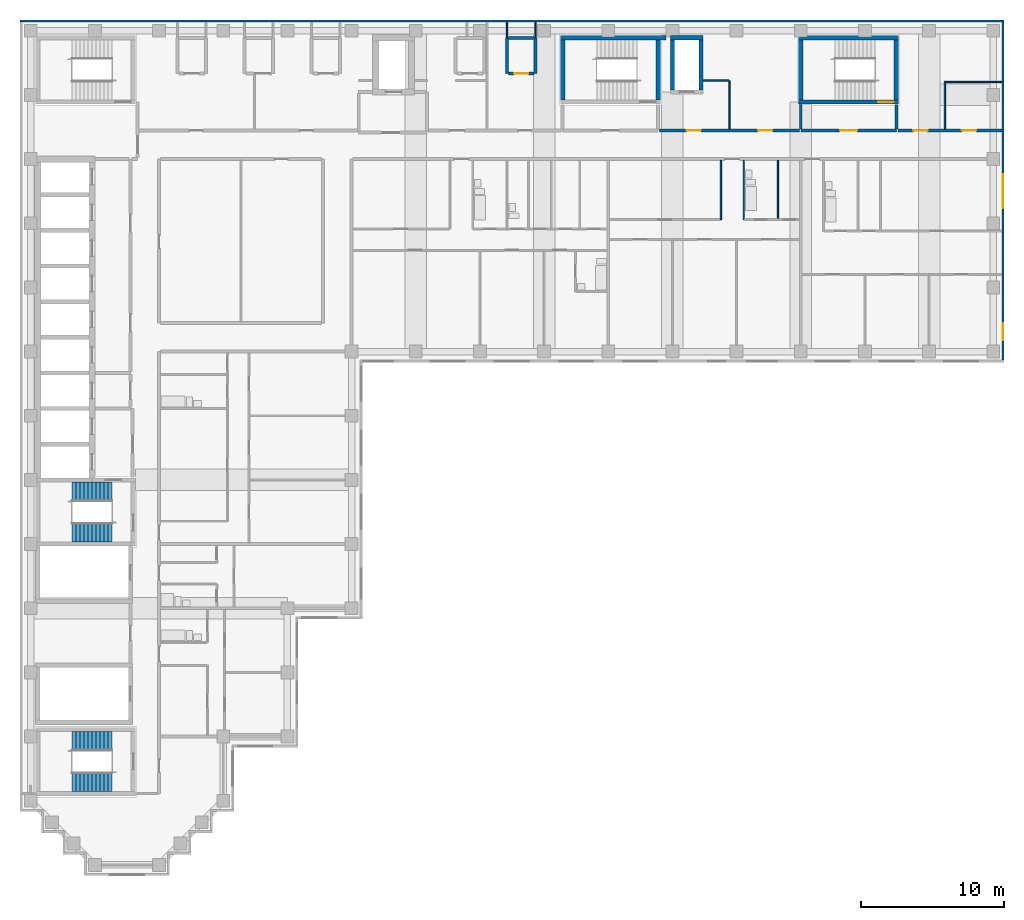
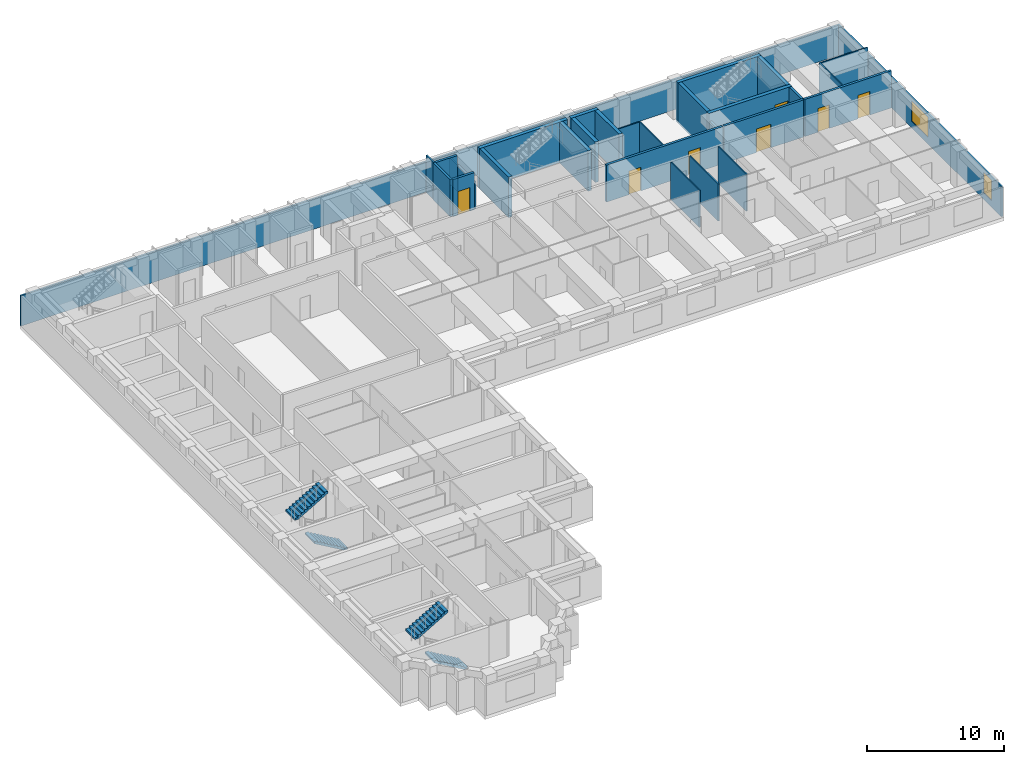
# One storey, part 8 of 11: 30 walls, 7 doors, 4 stair flights, 2 windows, 9 openings, 2 elements without a shape of their own.
"""IFC4 building model written with IfcOpenShell, lengths in metres."""

from ifc_helpers import new_model, si_unit, direction, frame, frame_2d, origin, place, context, subcontext, project, spatial, polyline, rectangle, outline, extrude, material, layer, layer_set, type_object, element, fill, aggregate, save


model = new_model("IFC4")

# Units and contexts
model_context = context("Model", 3, precision=1e-05, world=origin(), true_north=direction((0.0, 1.0)))
body_context = subcontext(model_context, "Body", "Model", "MODEL_VIEW")
ifc_project = project(units=[si_unit("LENGTHUNIT", "METRE"), si_unit("AREAUNIT", "SQUARE_METRE"), si_unit("VOLUMEUNIT", "CUBIC_METRE"), si_unit("PLANEANGLEUNIT", "RADIAN"), si_unit("MASSUNIT", "GRAM", prefix="KILO")], contexts=[model_context])

# Site, building, storey
site_placement = place(None, origin())
site = spatial("IfcSite", under=ifc_project, at=site_placement, CompositionType="ELEMENT")
building_placement = place(site_placement, origin())
building = spatial("IfcBuilding", under=site, at=building_placement, Name="Firuza Court", CompositionType="ELEMENT")
storey_placement = place(building_placement, frame((0.0, 0.0, 179.0)))
storey = spatial("IfcBuildingStorey", under=building, at=storey_placement, Name="L45", CompositionType="ELEMENT", Elevation=179.0)

# Walls
ifc_material_1 = material(Name="Moisture-resistant gypsum board partition")
ifc_layer_1 = layer(ifc_material_1, 0.10009765625)
ifc_layer_set_1 = layer_set([ifc_layer_1], Name="Moisture-resistant gypsum board partition")
wall_type_1 = type_object("IfcWallType", Name="Bathroom partition 100", PredefinedType="PLUMBINGWALL", material=ifc_layer_set_1)
wall_1_placement = place(storey_placement, frame((50.0, 45.25, 0.0), z_axis=(0.0, 0.0, 1.0), x_axis=(0.0, 1.0, 0.0)))
element("IfcWall", 1, at=wall_1_placement, inside=storey, type_object=wall_type_1, Name="Bathroom partition 100 L45", PredefinedType="PLUMBINGWALL", context=body_context, shape_type="SweptSolid", body=[
    extrude(rectangle(XDim=4.14990234375, YDim=0.10009765625, at=frame_2d((2.074951171875, 0.0))), origin(), (0.0, 0.0, 1.0), 3.300048828125),
])
wall_2_placement = place(storey_placement, frame((52.39990234375, 45.300048828125, 0.0), z_axis=(0.0, 0.0, 1.0), x_axis=(0.0, 1.0, 0.0)))
element("IfcWall", 2, at=wall_2_placement, inside=storey, type_object=wall_type_1, Name="Bathroom partition 100 L45", PredefinedType="PLUMBINGWALL", context=body_context, shape_type="SweptSolid", body=[
    extrude(rectangle(XDim=4.099853515625, YDim=0.10009765625, at=frame_2d((2.0498046875, 0.0))), origin(), (0.0, 0.0, 1.0), 3.300048828125),
])
ifc_material_2 = material(Name="Concrete C50/60", Category="concrete")
ifc_layer_2 = layer(ifc_material_2, 0.300048828125)
ifc_layer_set_2 = layer_set([ifc_layer_2], Name="Concrete C50/60")
wall_type_2 = type_object("IfcWallType", Name="Core wall 300 C50/60", PredefinedType="SHEAR", material=ifc_layer_set_2)
wall_3_placement = place(storey_placement, frame((37.14990234375, 58.0, -0.300048828125), z_axis=(0.0, 0.0, 1.0), x_axis=(1.0, 0.0, 0.0)))
element("IfcWall", 3, at=wall_3_placement, inside=storey, type_object=wall_type_2, Name="Core wall stair L45", PredefinedType="SHEAR", context=body_context, shape_type="SweptSolid", body=[
    extrude(rectangle(XDim=7.400146484375, YDim=0.300048828125, at=frame_2d((3.7001953125, 0.0))), origin(), (0.0, 0.0, 1.0), 3.60009765625),
])
for number, where, z_axis, x_axis, name in (
    (4, (37.300048828125, 53.64990234375, -0.300048828125), (0.0, 0.0, 1.0), (0.0, 1.0, 0.0), "Core wall stair L45"),
    (5, (44.0, 53.64990234375, -0.300048828125), (0.0, 0.0, 1.0), (0.0, 1.0, 0.0), "Core wall stair L45"),
):
    element("IfcWall", number, at=place(storey_placement, frame(where, z_axis=z_axis, x_axis=x_axis)), inside=storey, type_object=wall_type_2, Name=name, PredefinedType="SHEAR", context=body_context, shape_type="SweptSolid", body=[
        extrude(rectangle(XDim=4.2001953125, YDim=0.300048828125, at=frame_2d((2.10009765625, 0.0))), origin(), (0.0, 0.0, 1.0), 3.60009765625),
    ])
wall_4_placement = place(storey_placement, frame((44.85009765625, 58.0, -0.300048828125), z_axis=(0.0, 0.0, 1.0), x_axis=(1.0, 0.0, 0.0)))
element("IfcWall", 6, at=wall_4_placement, inside=storey, type_object=wall_type_2, Name="Core wall riser L45", PredefinedType="SHEAR", context=body_context, shape_type="SweptSolid", body=[
    extrude(rectangle(XDim=2.2998046875, YDim=0.300048828125, at=frame_2d((1.14990234375, 0.0))), origin(), (0.0, 0.0, 1.0), 3.60009765625),
])
for number, where, z_axis, x_axis, name in (
    (7, (45.0, 54.35009765625, -0.300048828125), (0.0, 0.0, 1.0), (0.0, 1.0, 0.0), "Core wall riser L45"),
    (8, (47.0, 54.35009765625, -0.300048828125), (0.0, 0.0, 1.0), (0.0, 1.0, 0.0), "Core wall riser L45"),
):
    element("IfcWall", number, at=place(storey_placement, frame(where, z_axis=z_axis, x_axis=x_axis)), inside=storey, type_object=wall_type_2, Name=name, PredefinedType="SHEAR", context=body_context, shape_type="SweptSolid", body=[
        extrude(rectangle(XDim=3.5, YDim=0.300048828125, at=frame_2d((1.75, 0.0))), origin(), (0.0, 0.0, 1.0), 3.60009765625),
    ])

# Wall, opening, door
wall_5_placement = place(storey_placement, frame((53.85009765625, 53.5, -0.300048828125), z_axis=(0.0, 0.0, 1.0), x_axis=(1.0, 0.0, 0.0)))
wall_5 = element("IfcWall", 9, at=wall_5_placement, inside=storey, type_object=wall_type_2, Name="Core wall stair L45", PredefinedType="SHEAR", context=body_context, shape_type="SweptSolid", body=[
    extrude(rectangle(XDim=7.0, YDim=0.300048828125, at=frame_2d((3.5, 0.0))), origin(), (0.0, 0.0, 1.0), 3.60009765625),
])
opening_1_placement = place(wall_5_placement, frame((5.580078125, 0.0, 0.300048828125)))
opening_1 = element("IfcOpeningElement", 10, at=opening_1_placement, cuts=wall_5, Name="Opening D45016", PredefinedType="OPENING", context=body_context, shape_type="SweptSolid", body=[
    extrude(rectangle(XDim=1.10009765625, YDim=2.10009765625, at=frame_2d((0.550048828125, 1.050048828125))), frame((0.0, 0.162109375, 0.0), z_axis=(0.0, -1.0, 0.0), x_axis=(1.0, 0.0, 0.0)), (0.0, 0.0, 1.0), 0.323974609375),
])
ifc_material_3 = material(Name="Timber door leaf in hardwood frame", Category="wood")
door_type_1 = type_object("IfcDoorType", Name="Stair door 1100", OperationType="SINGLE_SWING_LEFT", PredefinedType="DOOR", material=ifc_material_3)
door_1_placement = place(opening_1_placement, origin())
door_1 = element("IfcDoor", 11, at=door_1_placement, inside=storey, type_object=door_type_1, Name="Stair door S4", OperationType="SINGLE_SWING_RIGHT", OverallHeight=2.10009765625, OverallWidth=1.10009765625, PredefinedType="DOOR", context=body_context, shape_type="SweptSolid", body=[
    extrude(rectangle(XDim=1.10009765625, YDim=2.10009765625, at=frame_2d((0.550048828125, 1.050048828125))), frame((0.0, 0.02490234375, 0.0), z_axis=(0.0, -1.0, 0.0), x_axis=(1.0, 0.0, 0.0)), (0.0, 0.0, 1.0), 0.050048828125),
])
fill(opening_1, door_1)

# Walls
wall_6_placement = place(storey_placement, frame((53.85009765625, 58.0, -0.300048828125), z_axis=(0.0, 0.0, 1.0), x_axis=(1.0, 0.0, 0.0)))
element("IfcWall", 12, at=wall_6_placement, inside=storey, type_object=wall_type_2, Name="Core wall stair L45", PredefinedType="SHEAR", context=body_context, shape_type="SweptSolid", body=[
    extrude(rectangle(XDim=7.0, YDim=0.300048828125, at=frame_2d((3.5, 0.0))), origin(), (0.0, 0.0, 1.0), 3.60009765625),
])
for number, where, z_axis, x_axis, name in (
    (13, (54.0, 53.64990234375, -0.300048828125), (0.0, 0.0, 1.0), (0.0, 1.0, 0.0), "Core wall stair L45"),
    (14, (60.699951171875, 53.64990234375, -0.300048828125), (0.0, 0.0, 1.0), (0.0, 1.0, 0.0), "Core wall stair L45"),
):
    element("IfcWall", number, at=place(storey_placement, frame(where, z_axis=z_axis, x_axis=x_axis)), inside=storey, type_object=wall_type_2, Name=name, PredefinedType="SHEAR", context=body_context, shape_type="SweptSolid", body=[
        extrude(rectangle(XDim=4.2001953125, YDim=0.300048828125, at=frame_2d((2.10009765625, 0.0))), origin(), (0.0, 0.0, 1.0), 3.60009765625),
    ])

# Wall, openings, doors
ifc_material_4 = material(Name="Blockwork, plastered both sides", Category="masonry")
ifc_layer_3 = layer(ifc_material_4, 0.199951171875)
ifc_layer_set_3 = layer_set([ifc_layer_3], Name="Blockwork, plastered both sides")
wall_type_3 = type_object("IfcWallType", Name="Corridor wall 200", PredefinedType="PARTITIONING", material=ifc_layer_set_3)
wall_7_placement = place(storey_placement, frame((44.10009765625, 51.5, 0.0), z_axis=(0.0, 0.0, 1.0), x_axis=(1.0, 0.0, 0.0)))
wall_7 = element("IfcWall", 15, at=wall_7_placement, inside=storey, type_object=wall_type_3, Name="Corridor wall 200 L45", PredefinedType="PARTITIONING", context=body_context, shape_type="SweptSolid", body=[
    extrude(rectangle(XDim=9.7998046875, YDim=0.199951171875, at=frame_2d((4.89990234375, 0.0))), origin(), (0.0, 0.0, 1.0), 3.300048828125),
])
opening_2_placement = place(wall_7_placement, frame((1.89990234375, 0.0, 0.0)))
opening_2 = element("IfcOpeningElement", 16, at=opening_2_placement, cuts=wall_7, Name="Opening D45067", PredefinedType="OPENING", context=body_context, shape_type="SweptSolid", body=[
    extrude(rectangle(XDim=1.0, YDim=2.10009765625, at=frame_2d((0.5, 1.050048828125))), frame((0.0, 0.11181640625, 0.0), z_axis=(0.0, -1.0, 0.0), x_axis=(1.0, 0.0, 0.0)), (0.0, 0.0, 1.0), 0.223876953125),
])
opening_3_placement = place(wall_7_placement, frame((6.89990234375, 0.0, 0.0)))
opening_3 = element("IfcOpeningElement", 17, at=opening_3_placement, cuts=wall_7, Name="Opening D45068", PredefinedType="OPENING", context=body_context, shape_type="SweptSolid", body=[
    extrude(rectangle(XDim=1.0, YDim=2.10009765625, at=frame_2d((0.5, 1.050048828125))), frame((0.0, 0.11181640625, 0.0), z_axis=(0.0, -1.0, 0.0), x_axis=(1.0, 0.0, 0.0)), (0.0, 0.0, 1.0), 0.223876953125),
])
ifc_material_5 = material(Name="Timber door leaf in hardwood frame", Category="wood")
door_type_2 = type_object("IfcDoorType", Name="Store door 1000", OperationType="SINGLE_SWING_LEFT", PredefinedType="DOOR", material=ifc_material_5)
door_2_placement = place(opening_2_placement, origin())
door_2 = element("IfcDoor", 18, at=door_2_placement, inside=storey, type_object=door_type_2, Name="Cleaner's store door", OperationType="SINGLE_SWING_LEFT", OverallHeight=2.10009765625, OverallWidth=1.0, PredefinedType="DOOR", context=body_context, shape_type="SweptSolid", body=[
    extrude(rectangle(XDim=1.0, YDim=2.10009765625, at=frame_2d((0.5, 1.050048828125))), frame((0.0, 0.02490234375, 0.0), z_axis=(0.0, -1.0, 0.0), x_axis=(1.0, 0.0, 0.0)), (0.0, 0.0, 1.0), 0.050048828125),
])
fill(opening_2, door_2)
door_3_placement = place(opening_3_placement, origin())
door_3 = element("IfcDoor", 19, at=door_3_placement, inside=storey, type_object=door_type_2, Name="Bicycle store door", OperationType="SINGLE_SWING_LEFT", OverallHeight=2.10009765625, OverallWidth=1.0, PredefinedType="DOOR", context=body_context, shape_type="SweptSolid", body=[
    extrude(rectangle(XDim=1.0, YDim=2.10009765625, at=frame_2d((0.5, 1.050048828125))), frame((0.0, 0.02490234375, 0.0), z_axis=(0.0, -1.0, 0.0), x_axis=(1.0, 0.0, 0.0)), (0.0, 0.0, 1.0), 0.050048828125),
])
fill(opening_3, door_3)

wall_8_placement = place(storey_placement, frame((60.800048828125, 51.5, 0.0), z_axis=(0.0, 0.0, 1.0), x_axis=(1.0, 0.0, 0.0)))
wall_8 = element("IfcWall", 20, at=wall_8_placement, inside=storey, type_object=wall_type_3, Name="Corridor wall 200 L45", PredefinedType="PARTITIONING", context=body_context, shape_type="SweptSolid", body=[
    extrude(rectangle(XDim=7.300048828125, YDim=0.199951171875, at=frame_2d((3.64990234375, 0.0))), origin(), (0.0, 0.0, 1.0), 3.300048828125),
])
opening_4_placement = place(wall_8_placement, frame((1.10009765625, 0.0, 0.0)))
opening_4 = element("IfcOpeningElement", 21, at=opening_4_placement, cuts=wall_8, Name="Opening D45069", PredefinedType="OPENING", context=body_context, shape_type="SweptSolid", body=[
    extrude(rectangle(XDim=1.0, YDim=2.10009765625, at=frame_2d((0.5, 1.050048828125))), frame((0.0, 0.11181640625, 0.0), z_axis=(0.0, -1.0, 0.0), x_axis=(1.0, 0.0, 0.0)), (0.0, 0.0, 1.0), 0.223876953125),
])
opening_5_placement = place(wall_8_placement, frame((4.5, 0.0, 0.0)))
opening_5 = element("IfcOpeningElement", 22, at=opening_5_placement, cuts=wall_8, Name="Opening D45070", PredefinedType="OPENING", context=body_context, shape_type="SweptSolid", body=[
    extrude(rectangle(XDim=1.0, YDim=2.10009765625, at=frame_2d((0.5, 1.050048828125))), frame((0.0, 0.11181640625, 0.0), z_axis=(0.0, -1.0, 0.0), x_axis=(1.0, 0.0, 0.0)), (0.0, 0.0, 1.0), 0.223876953125),
])
door_4_placement = place(opening_4_placement, origin())
door_4 = element("IfcDoor", 23, at=door_4_placement, inside=storey, type_object=door_type_2, Name="Comms room door", OperationType="SINGLE_SWING_LEFT", OverallHeight=2.10009765625, OverallWidth=1.0, PredefinedType="DOOR", context=body_context, shape_type="SweptSolid", body=[
    extrude(rectangle(XDim=1.0, YDim=2.10009765625, at=frame_2d((0.5, 1.050048828125))), frame((0.0, 0.02490234375, 0.0), z_axis=(0.0, -1.0, 0.0), x_axis=(1.0, 0.0, 0.0)), (0.0, 0.0, 1.0), 0.050048828125),
])
fill(opening_4, door_4)
door_5_placement = place(opening_5_placement, origin())
door_5 = element("IfcDoor", 24, at=door_5_placement, inside=storey, type_object=door_type_2, Name="Cleaner's store door", OperationType="SINGLE_SWING_LEFT", OverallHeight=2.10009765625, OverallWidth=1.0, PredefinedType="DOOR", context=body_context, shape_type="SweptSolid", body=[
    extrude(rectangle(XDim=1.0, YDim=2.10009765625, at=frame_2d((0.5, 1.050048828125))), frame((0.0, 0.02490234375, 0.0), z_axis=(0.0, -1.0, 0.0), x_axis=(1.0, 0.0, 0.0)), (0.0, 0.0, 1.0), 0.050048828125),
])
fill(opening_5, door_5)

# Walls
ifc_material_6 = material(Name="Timber stud partition, plasterboard both sides", Category="wood")
ifc_layer_4 = layer(ifc_material_6, 0.10009765625)
ifc_layer_set_4 = layer_set([ifc_layer_4], Name="Timber stud partition, plasterboard both sides")
wall_type_4 = type_object("IfcWallType", Name="Partition wall 100", PredefinedType="PARTITIONING", material=ifc_layer_set_4)
wall_9_placement = place(storey_placement, frame((48.39990234375, 45.25, 0.0), z_axis=(0.0, 0.0, 1.0), x_axis=(0.0, 1.0, 0.0)))
element("IfcWall", 25, at=wall_9_placement, inside=storey, type_object=wall_type_4, Name="Partition wall 100 L45", PredefinedType="PARTITIONING", context=body_context, shape_type="SweptSolid", body=[
    extrude(rectangle(XDim=4.14990234375, YDim=0.10009765625, at=frame_2d((2.074951171875, 0.0))), origin(), (0.0, 0.0, 1.0), 3.300048828125),
])
wall_10_placement = place(storey_placement, frame((49.0, 51.60009765625, 0.0), z_axis=(0.0, 0.0, 1.0), x_axis=(0.0, 1.0, 0.0)))
element("IfcWall", 26, at=wall_10_placement, inside=storey, type_object=wall_type_4, Name="Partition wall 100 L45", PredefinedType="PARTITIONING", context=body_context, shape_type="SweptSolid", body=[
    extrude(rectangle(XDim=3.39990234375, YDim=0.10009765625, at=frame_2d((1.699951171875, 0.0))), origin(), (0.0, 0.0, 1.0), 3.300048828125),
])
wall_11_placement = place(storey_placement, frame((64.10009765625, 51.60009765625, 0.0), z_axis=(0.0, 0.0, 1.0), x_axis=(0.0, 1.0, 0.0)))
element("IfcWall", 27, at=wall_11_placement, inside=storey, type_object=wall_type_4, Name="Partition wall 100 L45", PredefinedType="PARTITIONING", context=body_context, shape_type="SweptSolid", body=[
    extrude(rectangle(XDim=3.349853515625, YDim=0.10009765625, at=frame_2d((1.6748046875, 0.0))), origin(), (0.0, 0.0, 1.0), 3.300048828125),
])
wall_12_placement = place(storey_placement, frame((64.14990234375, 54.89990234375, 0.0), z_axis=(0.0, 0.0, 1.0), x_axis=(1.0, 0.0, 0.0)))
element("IfcWall", 28, at=wall_12_placement, inside=storey, type_object=wall_type_4, Name="Partition wall 100 L45", PredefinedType="PARTITIONING", context=body_context, shape_type="SweptSolid", body=[
    extrude(rectangle(XDim=3.9501953125, YDim=0.10009765625, at=frame_2d((1.97509765625, 0.0))), origin(), (0.0, 0.0, 1.0), 3.300048828125),
])
wall_13_placement = place(storey_placement, frame((47.14990234375, 55.0, 0.0), z_axis=(0.0, 0.0, 1.0), x_axis=(1.0, 0.0, 0.0)))
element("IfcWall", 29, at=wall_13_placement, inside=storey, type_object=wall_type_4, Name="Partition wall 100 L45", PredefinedType="PARTITIONING", context=body_context, shape_type="SweptSolid", body=[
    extrude(rectangle(XDim=1.800048828125, YDim=0.10009765625, at=frame_2d((0.89990234375, 0.0))), origin(), (0.0, 0.0, 1.0), 3.300048828125),
])
wall_14_placement = place(storey_placement, frame((33.39990234375, 58.0, 0.0), z_axis=(0.0, 0.0, 1.0), x_axis=(0.0, 1.0, 0.0)))
element("IfcWall", 30, at=wall_14_placement, inside=storey, type_object=wall_type_4, Name="Partition wall 100 L45", PredefinedType="PARTITIONING", context=body_context, shape_type="SweptSolid", body=[
    extrude(rectangle(XDim=1.10009765625, YDim=0.10009765625, at=frame_2d((0.550048828125, 0.0))), origin(), (0.0, 0.0, 1.0), 3.300048828125),
])
wall_15_placement = place(storey_placement, frame((35.39990234375, 58.0, 0.0), z_axis=(0.0, 0.0, 1.0), x_axis=(0.0, 1.0, 0.0)))
element("IfcWall", 31, at=wall_15_placement, inside=storey, type_object=wall_type_4, Name="Partition wall 100 L45", PredefinedType="PARTITIONING", context=body_context, shape_type="SweptSolid", body=[
    extrude(rectangle(XDim=1.10009765625, YDim=0.10009765625, at=frame_2d((0.550048828125, 0.0))), origin(), (0.0, 0.0, 1.0), 2.39990234375),
])
ifc_material_7 = material(Name="Blockwork, fire-rated", Category="masonry")
ifc_layer_5 = layer(ifc_material_7, 0.199951171875)
ifc_layer_set_5 = layer_set([ifc_layer_5], Name="Blockwork, fire-rated")
wall_type_5 = type_object("IfcWallType", Name="Plant room wall 200", PredefinedType="PARTITIONING", material=ifc_layer_set_5)
wall_16_placement = place(storey_placement, frame((33.39990234375, 55.5, 0.0), z_axis=(0.0, 0.0, 1.0), x_axis=(0.0, 1.0, 0.0)))
element("IfcWall", 32, at=wall_16_placement, inside=storey, type_object=wall_type_5, Name="Plant room wall 200 L45", PredefinedType="PARTITIONING", context=body_context, shape_type="SweptSolid", body=[
    extrude(rectangle(XDim=2.5, YDim=0.199951171875, at=frame_2d((1.25, 0.0))), origin(), (0.0, 0.0, 1.0), 3.300048828125),
])

# Wall, opening, door
wall_17_placement = place(storey_placement, frame((33.5, 55.5, 0.0), z_axis=(0.0, 0.0, 1.0), x_axis=(1.0, 0.0, 0.0)))
wall_17 = element("IfcWall", 33, at=wall_17_placement, inside=storey, type_object=wall_type_5, Name="Plant room wall 200 L45", PredefinedType="PARTITIONING", context=body_context, shape_type="SweptSolid", body=[
    extrude(rectangle(XDim=1.800048828125, YDim=0.199951171875, at=frame_2d((0.89990234375, 0.0))), origin(), (0.0, 0.0, 1.0), 3.300048828125),
])
opening_6_placement = place(wall_17_placement, frame((0.39990234375, 0.0, 0.0)))
opening_6 = element("IfcOpeningElement", 34, at=opening_6_placement, cuts=wall_17, Name="Opening D45075", PredefinedType="OPENING", context=body_context, shape_type="SweptSolid", body=[
    extrude(rectangle(XDim=1.0, YDim=2.10009765625, at=frame_2d((0.5, 1.050048828125))), frame((0.0, 0.11181640625, 0.0), z_axis=(0.0, -1.0, 0.0), x_axis=(1.0, 0.0, 0.0)), (0.0, 0.0, 1.0), 0.223876953125),
])
ifc_material_8 = material(Name="Timber door leaf in hardwood frame", Category="wood")
door_type_3 = type_object("IfcDoorType", Name="Riser door 1000", OperationType="SINGLE_SWING_LEFT", PredefinedType="DOOR", material=ifc_material_8)
door_6_placement = place(opening_6_placement, origin())
door_6 = element("IfcDoor", 35, at=door_6_placement, inside=storey, type_object=door_type_3, Name="Duct riser door", OperationType="SINGLE_SWING_LEFT", OverallHeight=2.10009765625, OverallWidth=1.0, PredefinedType="DOOR", context=body_context, shape_type="SweptSolid", body=[
    extrude(rectangle(XDim=1.0, YDim=2.10009765625, at=frame_2d((0.5, 1.050048828125))), frame((0.0, 0.02490234375, 0.0), z_axis=(0.0, -1.0, 0.0), x_axis=(1.0, 0.0, 0.0)), (0.0, 0.0, 1.0), 0.050048828125),
])
fill(opening_6, door_6)

# Walls
wall_18_placement = place(storey_placement, frame((35.39990234375, 55.5, 0.0), z_axis=(0.0, 0.0, 1.0), x_axis=(0.0, 1.0, 0.0)))
element("IfcWall", 36, at=wall_18_placement, inside=storey, type_object=wall_type_5, Name="Plant room wall 200 L45", PredefinedType="PARTITIONING", context=body_context, shape_type="SweptSolid", body=[
    extrude(rectangle(XDim=2.5, YDim=0.199951171875, at=frame_2d((1.25, 0.0))), origin(), (0.0, 0.0, 1.0), 2.39990234375),
])
wall_19_placement = place(storey_placement, frame((33.5, 58.0, 0.0), z_axis=(0.0, 0.0, 1.0), x_axis=(1.0, 0.0, 0.0)))
element("IfcWall", 37, at=wall_19_placement, inside=storey, type_object=wall_type_5, Name="Plant room wall 200 L45", PredefinedType="PARTITIONING", context=body_context, shape_type="SweptSolid", body=[
    extrude(rectangle(XDim=1.800048828125, YDim=0.199951171875, at=frame_2d((0.89990234375, 0.0))), origin(), (0.0, 0.0, 1.0), 3.300048828125),
])

# Wall, openings, windows
ifc_material_9 = material(Name="Ceramic tile", Category="ceramic")
ifc_layer_6 = layer(ifc_material_9, 0.02001953125)
ifc_material_10 = material(Name="Mineral wool insulation", Category="insulation")
ifc_layer_7 = layer(ifc_material_10, 0.050048828125)
ifc_material_11 = material(Name="Concrete C40/50 precast", Category="concrete")
ifc_layer_8 = layer(ifc_material_11, 0.080078125)
ifc_layer_set_6 = layer_set([ifc_layer_6, ifc_layer_7, ifc_layer_8], Name="Concrete C40/50 precast")
wall_type_6 = type_object("IfcWallType", Name="Precast cladding wall with turquoise TILE PANEL face 150", PredefinedType="STANDARD", material=ifc_layer_set_6)
wall_20_placement = place(storey_placement, frame((68.175048828125, 35.39990234375, 0.0), z_axis=(0.0, 0.0, 1.0), x_axis=(0.0, 1.0, 0.0)))
wall_20 = element("IfcWall", 38, at=wall_20_placement, inside=storey, type_object=wall_type_6, Name="Facade wall L45 E", PredefinedType="STANDARD", context=body_context, shape_type="SweptSolid", body=[
    extrude(rectangle(XDim=23.85009765625, YDim=0.14990234375, at=frame_2d((11.925048828125, 0.0))), origin(), (0.0, 0.0, 1.0), 2.699951171875),
])
opening_7_placement = place(wall_20_placement, frame((1.396728515625, 0.0, 0.60009765625)))
opening_7 = element("IfcOpeningElement", 39, at=opening_7_placement, cuts=wall_20, Name="Opening W8", PredefinedType="OPENING", context=body_context, shape_type="SweptSolid", body=[
    extrude(rectangle(XDim=1.199951171875, YDim=1.800048828125, at=frame_2d((0.60009765625, 0.89990234375))), frame((0.0, 0.0869140625, 0.0), z_axis=(0.0, -1.0, 0.0), x_axis=(1.0, 0.0, 0.0)), (0.0, 0.0, 1.0), 0.173828125),
])
opening_8_placement = place(wall_20_placement, frame((10.64990234375, 0.0, 0.60009765625)))
opening_8 = element("IfcOpeningElement", 40, at=opening_8_placement, cuts=wall_20, Name="Opening W1", PredefinedType="OPENING", context=body_context, shape_type="SweptSolid", body=[
    extrude(rectangle(XDim=2.39990234375, YDim=1.800048828125, at=frame_2d((1.199951171875, 0.89990234375))), frame((0.0, 0.0869140625, 0.0), z_axis=(0.0, -1.0, 0.0), x_axis=(1.0, 0.0, 0.0)), (0.0, 0.0, 1.0), 0.173828125),
])
ifc_material_12 = material(Name="Aluminium frame, triple clear glazing", Category="aluminium")
window_type_1 = type_object("IfcWindowType", Name="Window W1 2400 x 1800", PartitioningType="SINGLE_PANEL", PredefinedType="WINDOW", material=ifc_material_12)
window_1_placement = place(opening_8_placement, origin())
window_1 = element("IfcWindow", 41, at=window_1_placement, inside=storey, type_object=window_type_1, Name="Window L45", OverallHeight=1.800048828125, OverallWidth=2.39990234375, PartitioningType="SINGLE_PANEL", PredefinedType="WINDOW", context=body_context, shape_type="SweptSolid", body=[
    extrude(rectangle(XDim=2.39990234375, YDim=1.800048828125, at=frame_2d((1.199951171875, 0.89990234375))), frame((0.0, 0.030029296875, 0.0), z_axis=(0.0, -1.0, 0.0), x_axis=(1.0, 0.0, 0.0)), (0.0, 0.0, 1.0), 0.06005859375),
])
fill(opening_8, window_1)
ifc_material_13 = material(Name="Aluminium frame, triple clear glazing", Category="aluminium")
window_type_2 = type_object("IfcWindowType", Name="Window W8 1200 x 1800", PartitioningType="SINGLE_PANEL", PredefinedType="WINDOW", material=ifc_material_13)
window_2_placement = place(opening_7_placement, origin())
window_2 = element("IfcWindow", 42, at=window_2_placement, inside=storey, type_object=window_type_2, Name="Window L45", OverallHeight=1.800048828125, OverallWidth=1.199951171875, PartitioningType="SINGLE_PANEL", PredefinedType="WINDOW", context=body_context, shape_type="SweptSolid", body=[
    extrude(rectangle(XDim=1.199951171875, YDim=1.800048828125, at=frame_2d((0.60009765625, 0.89990234375))), frame((0.0, 0.030029296875, 0.0), z_axis=(0.0, -1.0, 0.0), x_axis=(1.0, 0.0, 0.0)), (0.0, 0.0, 1.0), 0.06005859375),
])
fill(opening_7, window_2)

# Wall
wall_21_placement = place(storey_placement, frame((68.10009765625, 59.175048828125, 0.0), z_axis=(0.0, 0.0, 1.0), x_axis=(-1.0, 0.0, 0.0)))
element("IfcWall", 43, at=wall_21_placement, inside=storey, type_object=wall_type_6, Name="Facade wall L45 N", PredefinedType="STANDARD", context=body_context, shape_type="SweptSolid", body=[
    extrude(rectangle(XDim=68.85009765625, YDim=0.14990234375, at=frame_2d((34.425048828125, 0.0))), origin(), (0.0, 0.0, 1.0), 2.699951171875),
])

# Wall, opening, door
ifc_layer_9 = layer(ifc_material_7, 0.199951171875)
ifc_layer_set_7 = layer_set([ifc_layer_9], Name="Blockwork, fire-rated")
wall_type_7 = type_object("IfcWallType", Name="Shaft wall 200", PredefinedType="PARTITIONING", material=ifc_layer_set_7)
wall_22_placement = place(storey_placement, frame((54.0, 51.5, 0.0), z_axis=(0.0, 0.0, 1.0), x_axis=(1.0, 0.0, 0.0)))
wall_22 = element("IfcWall", 44, at=wall_22_placement, inside=storey, type_object=wall_type_7, Name="Shaft wall 200 L45", PredefinedType="PARTITIONING", context=body_context, shape_type="SweptSolid", body=[
    extrude(rectangle(XDim=6.699951171875, YDim=0.199951171875, at=frame_2d((3.35009765625, 0.0))), origin(), (0.0, 0.0, 1.0), 3.300048828125),
])
opening_9_placement = place(wall_22_placement, frame((2.75, 0.0, 0.0)))
opening_9 = element("IfcOpeningElement", 45, at=opening_9_placement, cuts=wall_22, Name="Opening D45007", PredefinedType="OPENING", context=body_context, shape_type="SweptSolid", body=[
    extrude(rectangle(XDim=1.199951171875, YDim=2.10009765625, at=frame_2d((0.60009765625, 1.050048828125))), frame((0.0, 0.11181640625, 0.0), z_axis=(0.0, -1.0, 0.0), x_axis=(1.0, 0.0, 0.0)), (0.0, 0.0, 1.0), 0.223876953125),
])
ifc_material_14 = material(Name="Timber door leaf in hardwood frame", Category="wood")
door_type_4 = type_object("IfcDoorType", Name="Lobby door 1200", OperationType="SINGLE_SWING_LEFT", PredefinedType="DOOR", material=ifc_material_14)
door_7_placement = place(opening_9_placement, origin())
door_7 = element("IfcDoor", 46, at=door_7_placement, inside=storey, type_object=door_type_4, Name="Lobby door", OperationType="SINGLE_SWING_LEFT", OverallHeight=2.10009765625, OverallWidth=1.199951171875, PredefinedType="DOOR", context=body_context, shape_type="SweptSolid", body=[
    extrude(rectangle(XDim=1.199951171875, YDim=2.10009765625, at=frame_2d((0.60009765625, 1.050048828125))), frame((0.0, 0.02490234375, 0.0), z_axis=(0.0, -1.0, 0.0), x_axis=(1.0, 0.0, 0.0)), (0.0, 0.0, 1.0), 0.050048828125),
])
fill(opening_9, door_7)

# Walls
wall_23_placement = place(storey_placement, frame((60.699951171875, 51.60009765625, 0.0), z_axis=(0.0, 0.0, 1.0), x_axis=(0.0, 1.0, 0.0)))
element("IfcWall", 47, at=wall_23_placement, inside=storey, type_object=wall_type_7, Name="Shaft wall 200 L45", PredefinedType="PARTITIONING", context=body_context, shape_type="SweptSolid", body=[
    extrude(rectangle(XDim=1.72998046875, YDim=0.199951171875, at=frame_2d((0.864990234375, 0.0))), origin(), (0.0, 0.0, 1.0), 3.300048828125),
])
wall_24_placement = place(storey_placement, frame((54.0, 51.60009765625, 0.0), z_axis=(0.0, 0.0, 1.0), x_axis=(0.0, 1.0, 0.0)))
element("IfcWall", 48, at=wall_24_placement, inside=storey, type_object=wall_type_7, Name="Shaft wall 200 L45", PredefinedType="PARTITIONING", context=body_context, shape_type="SweptSolid", body=[
    extrude(rectangle(XDim=1.72998046875, YDim=0.199951171875, at=frame_2d((0.864990234375, 0.0))), origin(), (0.0, 0.0, 1.0), 2.60009765625),
])

# Stair, stair flights
ifc_material_15 = material(Name="Concrete C40/50 precast", Category="concrete")
stair_type = type_object("IfcStairType", Name="Stair 1350 x 3600 2 flights", PredefinedType="HALF_TURN_STAIR", material=ifc_material_15)
stair_1_placement = place(storey_placement, origin())
stair_1 = element("IfcStair", 49, at=stair_1_placement, inside=storey, type_object=stair_type, Name="Stair 2 L45", PredefinedType="HALF_TURN_STAIR")
ifc_material_16 = material(Name="Concrete C40/50 precast", Category="concrete")
stair_flight_type = type_object("IfcStairFlightType", Name="Flight 1350 riser 163.6", PredefinedType="STRAIGHT", material=ifc_material_16)
stair_flight_1_placement = place(storey_placement, frame((5.699951171875, 23.324951171875, 0.0), z_axis=(0.0, 0.0, 1.0), x_axis=(-1.0, 0.0, 0.0)))
stair_flight_1 = element("IfcStairFlight", 50, at=stair_flight_1_placement, type_object=stair_flight_type, Name="S2 flight 1", NumberOfRisers=11, NumberOfTreads=10, PredefinedType="STRAIGHT", RiserHeight=0.163636364, TreadLength=0.28, context=body_context, shape_type="SweptSolid", body=[
    extrude(outline(polyline([(0.0, 0.0), (0.0, 0.16357421875), (0.280029296875, 0.16357421875), (0.280029296875, 0.327392578125), (0.56005859375, 0.327392578125), (0.56005859375, 0.490966796875), (0.840087890625, 0.490966796875), (0.840087890625, 0.654541015625), (1.1201171875, 0.654541015625), (1.1201171875, 0.818115234375), (1.39990234375, 0.818115234375), (1.39990234375, 0.98193359375), (1.679931640625, 0.98193359375), (1.679931640625, 1.1455078125), (1.9599609375, 1.1455078125), (1.9599609375, 1.30908203125), (2.239990234375, 1.30908203125), (2.239990234375, 1.47265625), (2.52001953125, 1.47265625), (2.52001953125, 1.636474609375), (2.800048828125, 1.636474609375), (2.800048828125, 1.800048828125), (2.800048828125, 1.462646484375), (0.297119140625, 0.0), (0.0, 0.0)])), frame((0.0, 0.675048828125, 0.0), z_axis=(0.0, -1.0, 0.0), x_axis=(1.0, 0.0, 0.0)), (0.0, 0.0, 1.0), 1.35009765625),
])
stair_flight_2_placement = place(storey_placement, frame((2.89990234375, 26.175048828125, 1.800048828125), z_axis=(0.0, 0.0, 1.0), x_axis=(1.0, 0.0, 0.0)))
stair_flight_2 = element("IfcStairFlight", 51, at=stair_flight_2_placement, type_object=stair_flight_type, Name="S2 flight 2", NumberOfRisers=11, NumberOfTreads=10, PredefinedType="STRAIGHT", RiserHeight=0.163636364, TreadLength=0.28, context=body_context, shape_type="SweptSolid", body=[
    extrude(outline(polyline([(0.0, 0.0), (0.0, 0.16357421875), (0.280029296875, 0.16357421875), (0.280029296875, 0.327392578125), (0.56005859375, 0.327392578125), (0.56005859375, 0.490966796875), (0.840087890625, 0.490966796875), (0.840087890625, 0.654541015625), (1.1201171875, 0.654541015625), (1.1201171875, 0.818115234375), (1.39990234375, 0.818115234375), (1.39990234375, 0.98193359375), (1.679931640625, 0.98193359375), (1.679931640625, 1.1455078125), (1.9599609375, 1.1455078125), (1.9599609375, 1.30908203125), (2.239990234375, 1.30908203125), (2.239990234375, 1.47265625), (2.52001953125, 1.47265625), (2.52001953125, 1.636474609375), (2.800048828125, 1.636474609375), (2.800048828125, 1.800048828125), (2.800048828125, 1.462646484375), (0.297119140625, 0.0), (0.0, 0.0)])), frame((0.0, 0.675048828125, 0.0), z_axis=(0.0, -1.0, 0.0), x_axis=(1.0, 0.0, 0.0)), (0.0, 0.0, 1.0), 1.35009765625),
])
aggregate(stair_1, [stair_flight_1, stair_flight_2])

stair_2_placement = place(storey_placement, origin())
stair_2 = element("IfcStair", 52, at=stair_2_placement, inside=storey, type_object=stair_type, Name="Stair 5 L45", PredefinedType="HALF_TURN_STAIR")
stair_flight_3_placement = place(storey_placement, frame((5.699951171875, 5.824951171875, 0.0), z_axis=(0.0, 0.0, 1.0), x_axis=(-1.0, 0.0, 0.0)))
stair_flight_3 = element("IfcStairFlight", 53, at=stair_flight_3_placement, type_object=stair_flight_type, Name="S5 flight 1", NumberOfRisers=11, NumberOfTreads=10, PredefinedType="STRAIGHT", RiserHeight=0.163636364, TreadLength=0.28, context=body_context, shape_type="SweptSolid", body=[
    extrude(outline(polyline([(0.0, 0.0), (0.0, 0.16357421875), (0.280029296875, 0.16357421875), (0.280029296875, 0.327392578125), (0.56005859375, 0.327392578125), (0.56005859375, 0.490966796875), (0.840087890625, 0.490966796875), (0.840087890625, 0.654541015625), (1.1201171875, 0.654541015625), (1.1201171875, 0.818115234375), (1.39990234375, 0.818115234375), (1.39990234375, 0.98193359375), (1.679931640625, 0.98193359375), (1.679931640625, 1.1455078125), (1.9599609375, 1.1455078125), (1.9599609375, 1.30908203125), (2.239990234375, 1.30908203125), (2.239990234375, 1.47265625), (2.52001953125, 1.47265625), (2.52001953125, 1.636474609375), (2.800048828125, 1.636474609375), (2.800048828125, 1.800048828125), (2.800048828125, 1.462646484375), (0.297119140625, 0.0), (0.0, 0.0)])), frame((0.0, 0.675048828125, 0.0), z_axis=(0.0, -1.0, 0.0), x_axis=(1.0, 0.0, 0.0)), (0.0, 0.0, 1.0), 1.35009765625),
])
stair_flight_4_placement = place(storey_placement, frame((2.89990234375, 8.675048828125, 1.800048828125), z_axis=(0.0, 0.0, 1.0), x_axis=(1.0, 0.0, 0.0)))
stair_flight_4 = element("IfcStairFlight", 54, at=stair_flight_4_placement, type_object=stair_flight_type, Name="S5 flight 2", NumberOfRisers=11, NumberOfTreads=10, PredefinedType="STRAIGHT", RiserHeight=0.163636364, TreadLength=0.28, context=body_context, shape_type="SweptSolid", body=[
    extrude(outline(polyline([(0.0, 0.0), (0.0, 0.16357421875), (0.280029296875, 0.16357421875), (0.280029296875, 0.327392578125), (0.56005859375, 0.327392578125), (0.56005859375, 0.490966796875), (0.840087890625, 0.490966796875), (0.840087890625, 0.654541015625), (1.1201171875, 0.654541015625), (1.1201171875, 0.818115234375), (1.39990234375, 0.818115234375), (1.39990234375, 0.98193359375), (1.679931640625, 0.98193359375), (1.679931640625, 1.1455078125), (1.9599609375, 1.1455078125), (1.9599609375, 1.30908203125), (2.239990234375, 1.30908203125), (2.239990234375, 1.47265625), (2.52001953125, 1.47265625), (2.52001953125, 1.636474609375), (2.800048828125, 1.636474609375), (2.800048828125, 1.800048828125), (2.800048828125, 1.462646484375), (0.297119140625, 0.0), (0.0, 0.0)])), frame((0.0, 0.675048828125, 0.0), z_axis=(0.0, -1.0, 0.0), x_axis=(1.0, 0.0, 0.0)), (0.0, 0.0, 1.0), 1.35009765625),
])
aggregate(stair_2, [stair_flight_3, stair_flight_4])

save(model, "model.ifc")
